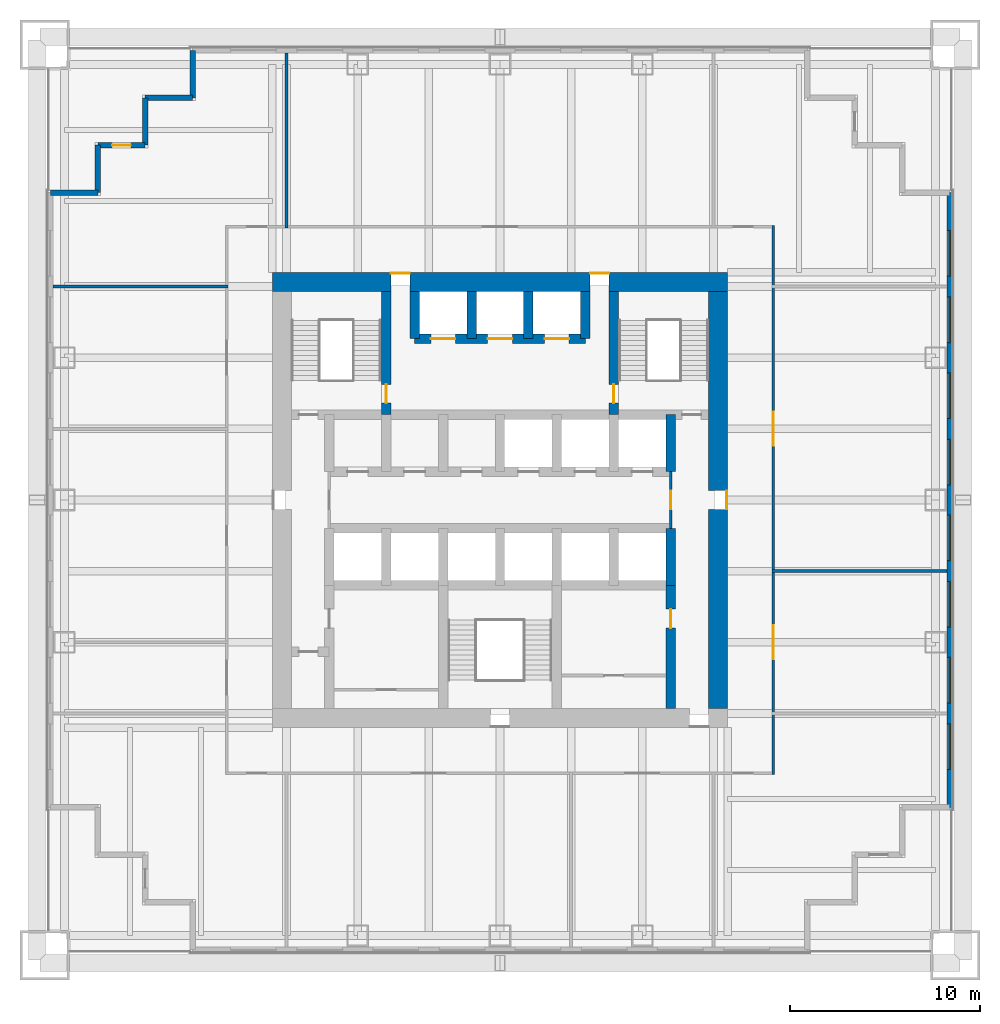
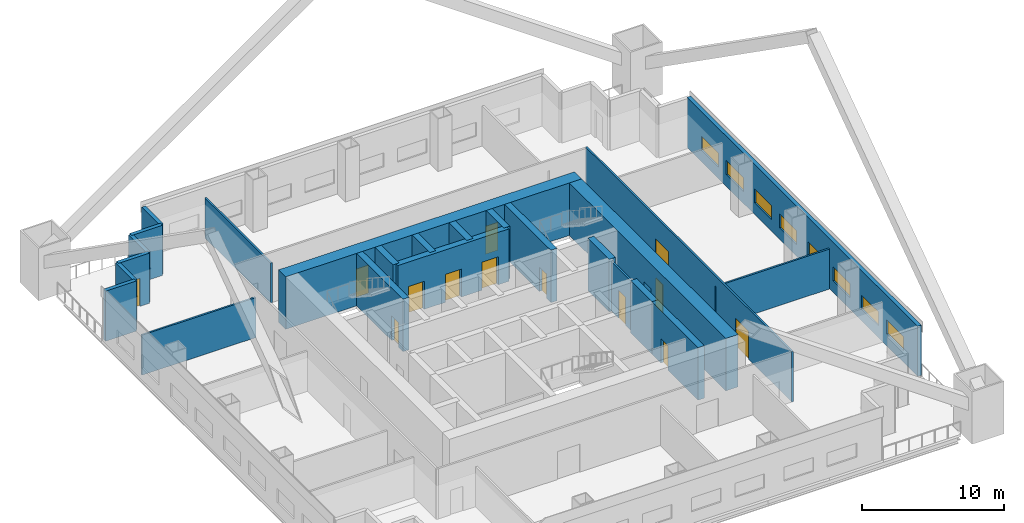
# One storey, part 4 of 6: 24 walls, 13 doors, 8 windows, 21 openings.
"""IFC4 building model written with IfcOpenShell, lengths in metres."""

import ifcopenshell
import ifcopenshell.guid

model = None  # the IFC model being written
_history = None  # IfcOwnerHistory: only IFC2X3 demands one
_inside = {}  # id of a spatial element -> (the spatial element, [elements in it])
_under = {}  # id of a project, library or spatial element -> (it, [spatial elements below it])
_declared = {}  # id of a project -> (the project, [libraries it declares])
_typed = {}  # id of a type object -> (the type object, [elements of that type])
_made_of = {}  # id of a material, layer set ... -> (it, [elements and type objects made of it])


def new_model(schema):
    """Start an empty IFC model of exactly this schema.

    Asked for "IFC4X3", IfcOpenShell would pick the latest addendum, in which some entities
    have other attributes; the version numbers below select the first issue.
    IFC2X3 requires an IfcOwnerHistory on every rooted entity: one is made here for all.
    """
    global model, _history
    if schema == "IFC4X3":
        model = ifcopenshell.file(schema_version=(4, 3, 0, 0))
    else:
        model = ifcopenshell.file(schema=schema)
    _inside.clear()
    _under.clear()
    _declared.clear()
    _typed.clear()
    _made_of.clear()
    _history = None
    if model.schema == "IFC2X3":
        org = make("IfcOrganization", Name="unknown")
        user = make(
            "IfcPersonAndOrganization",
            ThePerson=make("IfcPerson", FamilyName="unknown"),
            TheOrganization=org,
        )
        app = make(
            "IfcApplication",
            ApplicationDeveloper=org,
            Version="unknown",
            ApplicationFullName="unknown",
            ApplicationIdentifier="unknown",
        )
        _history = make(
            "IfcOwnerHistory",
            OwningUser=user,
            OwningApplication=app,
            ChangeAction="ADDED",
            CreationDate=0,
        )
    return model


def make(cls, **values):
    """One entity of the class cls with the attributes given. An attribute that is None is left unset."""
    return model.create_entity(
        cls, **{name: value for name, value in values.items() if value is not None}
    )


def rooted(cls, **values):
    """An entity with a GlobalId (a new one), such as an element, a storey or a relation."""
    return make(cls, GlobalId=ifcopenshell.guid.new(), OwnerHistory=_history, **values)


def si_unit(unit_type, name, prefix=None):
    """IfcSIUnit, for example si_unit("LENGTHUNIT", "METRE", prefix="MILLI")."""
    return make("IfcSIUnit", UnitType=unit_type, Prefix=prefix, Name=name)


def assignment(units):
    """IfcUnitAssignment: the units of a project."""
    return None if units is None else make("IfcUnitAssignment", Units=units)


def point(xyz):
    """IfcCartesianPoint."""
    return None if xyz is None else make("IfcCartesianPoint", Coordinates=xyz)


def direction(xyz):
    """IfcDirection."""
    return None if xyz is None else make("IfcDirection", DirectionRatios=xyz)


def frame(location, z_axis=None, x_axis=None):
    """IfcAxis2Placement3D, a coordinate frame: its origin and axes. An axis left out is left unset."""
    return make(
        "IfcAxis2Placement3D",
        Location=point(location),
        Axis=direction(z_axis),
        RefDirection=direction(x_axis),
    )


def frame_2d(location, x_axis=None):
    """IfcAxis2Placement2D, a coordinate frame in the plane: its origin and x axis."""
    return make(
        "IfcAxis2Placement2D", Location=point(location), RefDirection=direction(x_axis)
    )


def origin():
    """The frame at (0, 0, 0) with its axes left unset."""
    return frame((0.0, 0.0, 0.0))


def place(relative_to, where):
    """IfcLocalPlacement: puts the frame where relative to a parent placement (None: the world)."""
    return make(
        "IfcLocalPlacement", PlacementRelTo=relative_to, RelativePlacement=where
    )


def context(
    kind, dimensions, precision=None, world=None, true_north=None, identifier=None
):
    """IfcGeometricRepresentationContext, for example the 3D "Model" context."""
    return make(
        "IfcGeometricRepresentationContext",
        ContextIdentifier=identifier,
        ContextType=kind,
        CoordinateSpaceDimension=dimensions,
        Precision=precision,
        WorldCoordinateSystem=world,
        TrueNorth=true_north,
    )


def subcontext(parent, identifier, kind, view, scale=None):
    """IfcGeometricRepresentationSubContext, for example "Body" below "Model"."""
    return make(
        "IfcGeometricRepresentationSubContext",
        ContextIdentifier=identifier,
        ContextType=kind,
        ParentContext=parent,
        TargetScale=scale,
        TargetView=view,
    )


def project(units=None, contexts=None):
    """IfcProject with its units and contexts."""
    return rooted(
        "IfcProject",
        Name="project",
        RepresentationContexts=contexts,
        UnitsInContext=assignment(units),
    )


def spatial(cls, under=None, at=None, **own):
    """A site, building, storey or space (cls), placed at a placement, below another one or the project."""
    s = rooted(cls, ObjectPlacement=at, **own)
    if under is not None:
        _under.setdefault(under.id(), (under, []))[1].append(s)
    return s


def profile(cls, at=None, kind="AREA", **sizes):
    """A parametric profile (cls). Its sizes go by their IFC names, for example OverallWidth=200.0."""
    return make(cls, ProfileType=kind, Position=at, **sizes)


def rectangle(**sizes):
    """IfcRectangleProfileDef."""
    return profile("IfcRectangleProfileDef", **sizes)


def extrude(swept, where, along, depth):
    """IfcExtrudedAreaSolid: the profile swept, set in the frame where, extruded along a direction by depth."""
    return make(
        "IfcExtrudedAreaSolid",
        SweptArea=swept,
        Position=where,
        ExtrudedDirection=direction(along),
        Depth=depth,
    )


def shape(context_of_items, identifier, shape_type, items):
    """IfcShapeRepresentation: the items that make up one representation, for example the "Body"."""
    return make(
        "IfcShapeRepresentation",
        ContextOfItems=context_of_items,
        RepresentationIdentifier=identifier,
        RepresentationType=shape_type,
        Items=items,
    )


def material(Name=None, Category=None):
    """IfcMaterial."""
    return make("IfcMaterial", Name=Name, Category=Category)


def layer(
    of_material, thickness, ventilated=None, Name=None, Category=None, Priority=None
):
    """IfcMaterialLayer: one layer of a wall or slab, of a material (None: an air gap)."""
    return make(
        "IfcMaterialLayer",
        Material=of_material,
        LayerThickness=thickness,
        IsVentilated=ventilated,
        Name=Name,
        Category=Category,
        Priority=Priority,
    )


def layer_set(layers, Name=None):
    """IfcMaterialLayerSet."""
    return make("IfcMaterialLayerSet", MaterialLayers=layers, LayerSetName=Name)


def made_of(thing, what):
    """Note that an element or type object is made of a material, layer set ...; save() writes the relation."""
    if what is not None:
        _made_of.setdefault(what.id(), (what, []))[1].append(thing)
    return thing


def type_object(cls, material=None, **own):
    """A type object (cls), such as IfcWallType, which elements share."""
    return made_of(rooted(cls, **own), material)


def element(
    cls,
    number,
    at=None,
    inside=None,
    cuts=None,
    type_object=None,
    material=None,
    context=None,
    identifier="Body",
    shape_type=None,
    held_by="IfcProductDefinitionShape",
    body=None,
    shapes=None,
    **own,
):
    """One element of the class cls, such as IfcWall. Its Tag is "e" and its number.

    at: its placement. inside: the storey or other place that contains it. cuts: it is an
    opening in that element (IfcRelVoidsElement). A single representation is given by context,
    identifier, shape_type and body (its items); several are given by shapes. held_by: the class
    of the entity that holds the representations. save() writes the other relations.
    """
    e = rooted(cls, Tag="e%d" % number, ObjectPlacement=at, **own)
    if body is not None:
        shapes = [shape(context, identifier, shape_type, body)]
    if shapes is not None:
        e.Representation = make(held_by, Representations=shapes)
    if inside is not None:
        _inside.setdefault(inside.id(), (inside, []))[1].append(e)
    if cuts is not None:
        rooted(
            "IfcRelVoidsElement", RelatingBuildingElement=cuts, RelatedOpeningElement=e
        )
    if type_object is not None:
        _typed.setdefault(type_object.id(), (type_object, []))[1].append(e)
    return made_of(e, material)


def fill(opening, filler):
    """IfcRelFillsElement: the door or window that sits in an opening."""
    return rooted(
        "IfcRelFillsElement",
        RelatingOpeningElement=opening,
        RelatedBuildingElement=filler,
    )


def aggregate(whole, parts):
    """IfcRelAggregates: a whole, such as a stair, and the parts it consists of."""
    return rooted("IfcRelAggregates", RelatingObject=whole, RelatedObjects=parts)


def save(model, path):
    """Write the relations noted so far, then the file.

    IfcRelAggregates (storeys below a building ...), IfcRelContainedInSpatialStructure (elements
    in a storey), IfcRelDefinesByType, IfcRelAssociatesMaterial and IfcRelDeclares: one each for
    every whole, place, type object, material and project.
    """
    for whole, parts in _under.values():
        aggregate(whole, parts)
    for where, things in _inside.values():
        rooted(
            "IfcRelContainedInSpatialStructure",
            RelatedElements=things,
            RelatingStructure=where,
        )
    for kind, things in _typed.values():
        rooted("IfcRelDefinesByType", RelatedObjects=things, RelatingType=kind)
    for what, things in _made_of.values():
        rooted("IfcRelAssociatesMaterial", RelatedObjects=things, RelatingMaterial=what)
    for by, libraries in _declared.values():
        rooted("IfcRelDeclares", RelatingContext=by, RelatedDefinitions=libraries)
    model.write(path)


model = new_model("IFC4")

# Units and contexts
model_context = context("Model", 3, precision=1e-05, world=origin(), true_north=direction((0.0, 1.0)))
body_context = subcontext(model_context, "Body", "Model", "MODEL_VIEW")
ifc_project = project(units=[si_unit("LENGTHUNIT", "METRE"), si_unit("AREAUNIT", "SQUARE_METRE"), si_unit("VOLUMEUNIT", "CUBIC_METRE"), si_unit("PLANEANGLEUNIT", "RADIAN"), si_unit("MASSUNIT", "GRAM", prefix="KILO")], contexts=[model_context])

# Site, building, storey
site_placement = place(None, origin())
site = spatial("IfcSite", under=ifc_project, at=site_placement, CompositionType="ELEMENT")
building_placement = place(site_placement, origin())
building = spatial("IfcBuilding", under=site, at=building_placement, Name="Tarangal Relay Tower", CompositionType="ELEMENT")
storey_placement = place(building_placement, frame((0.0, 0.0, 135.89990234375)))
storey = spatial("IfcBuildingStorey", under=building, at=storey_placement, Name="L27", CompositionType="ELEMENT", Elevation=135.89990234375)

# Wall, openings, doors
ifc_material_1 = material(Name="Concrete fc' 60 MPa", Category="concrete")
ifc_layer_1 = layer(ifc_material_1, 0.5)
ifc_layer_set_1 = layer_set([ifc_layer_1], Name="Core inner wall 500")
wall_type_1 = type_object("IfcWallType", Name="Core inner wall 500", PredefinedType="SHEAR", material=ifc_layer_set_1)
wall_1_placement = place(storey_placement, frame((-4.5, 8.5, 0.0), z_axis=(0.0, 0.0, 1.0), x_axis=(1.0, 0.0, 0.0)))
wall_1 = element("IfcWall", 1, at=wall_1_placement, inside=storey, type_object=wall_type_1, Name="Core wall Y85 L27", PredefinedType="SHEAR", context=body_context, shape_type="SweptSolid", body=[
    extrude(rectangle(XDim=9.0, YDim=0.5, at=frame_2d((4.5, 0.0))), origin(), (0.0, 0.0, 1.0), 4.5),
])
opening_1_placement = place(wall_1_placement, frame((0.85009765625, 0.0, 0.0)))
opening_1 = element("IfcOpeningElement", 2, at=opening_1_placement, cuts=wall_1, Name="Opening LD2", PredefinedType="OPENING", context=body_context, shape_type="SweptSolid", body=[
    extrude(rectangle(XDim=1.300048828125, YDim=2.39990234375, at=frame_2d((0.64990234375, 1.199951171875))), frame((0.0, 0.260009765625, 0.0), z_axis=(0.0, -1.0, 0.0), x_axis=(1.0, 0.0, 0.0)), (0.0, 0.0, 1.0), 0.52001953125),
])
opening_2_placement = place(wall_1_placement, frame((6.85009765625, 0.0, 0.0)))
opening_2 = element("IfcOpeningElement", 3, at=opening_2_placement, cuts=wall_1, Name="Opening LD2", PredefinedType="OPENING", context=body_context, shape_type="SweptSolid", body=[
    extrude(rectangle(XDim=1.300048828125, YDim=2.39990234375, at=frame_2d((0.64990234375, 1.199951171875))), frame((0.0, 0.260009765625, 0.0), z_axis=(0.0, -1.0, 0.0), x_axis=(1.0, 0.0, 0.0)), (0.0, 0.0, 1.0), 0.52001953125),
])
opening_3_placement = place(wall_1_placement, frame((3.85009765625, 0.0, 0.0)))
opening_3 = element("IfcOpeningElement", 4, at=opening_3_placement, cuts=wall_1, Name="Opening LD2", PredefinedType="OPENING", context=body_context, shape_type="SweptSolid", body=[
    extrude(rectangle(XDim=1.300048828125, YDim=2.39990234375, at=frame_2d((0.64990234375, 1.199951171875))), frame((0.0, 0.260009765625, 0.0), z_axis=(0.0, -1.0, 0.0), x_axis=(1.0, 0.0, 0.0)), (0.0, 0.0, 1.0), 0.52001953125),
])
ifc_material_2 = material(Name="Steel door with hardwood frame", Category="steel")
door_type_1 = type_object("IfcDoorType", Name="Lift landing door 1300 x 2400", OperationType="SLIDING_TO_LEFT", PredefinedType="DOOR", material=ifc_material_2)
door_1_placement = place(opening_1_placement, origin())
door_1 = element("IfcDoor", 5, at=door_1_placement, inside=storey, type_object=door_type_1, Name="Lift FF1 landing door L27", OperationType="SLIDING_TO_LEFT", OverallHeight=2.39990234375, OverallWidth=1.300048828125, PredefinedType="DOOR", context=body_context, shape_type="SweptSolid", body=[
    extrude(rectangle(XDim=1.300048828125, YDim=2.39990234375, at=frame_2d((0.64990234375, 1.199951171875))), frame((0.0, 0.02490234375, 0.0), z_axis=(0.0, -1.0, 0.0), x_axis=(1.0, 0.0, 0.0)), (0.0, 0.0, 1.0), 0.050048828125),
])
fill(opening_1, door_1)
door_2_placement = place(opening_2_placement, origin())
door_2 = element("IfcDoor", 6, at=door_2_placement, inside=storey, type_object=door_type_1, Name="Lift FF2 landing door L27", OperationType="SLIDING_TO_LEFT", OverallHeight=2.39990234375, OverallWidth=1.300048828125, PredefinedType="DOOR", context=body_context, shape_type="SweptSolid", body=[
    extrude(rectangle(XDim=1.300048828125, YDim=2.39990234375, at=frame_2d((0.64990234375, 1.199951171875))), frame((0.0, 0.02490234375, 0.0), z_axis=(0.0, -1.0, 0.0), x_axis=(1.0, 0.0, 0.0)), (0.0, 0.0, 1.0), 0.050048828125),
])
fill(opening_2, door_2)
door_3_placement = place(opening_3_placement, origin())
door_3 = element("IfcDoor", 7, at=door_3_placement, inside=storey, type_object=door_type_1, Name="Lift SV1 landing door L27", OperationType="SLIDING_TO_LEFT", OverallHeight=2.39990234375, OverallWidth=1.300048828125, PredefinedType="DOOR", context=body_context, shape_type="SweptSolid", body=[
    extrude(rectangle(XDim=1.300048828125, YDim=2.39990234375, at=frame_2d((0.64990234375, 1.199951171875))), frame((0.0, 0.02490234375, 0.0), z_axis=(0.0, -1.0, 0.0), x_axis=(1.0, 0.0, 0.0)), (0.0, 0.0, 1.0), 0.050048828125),
])
fill(opening_3, door_3)

# Walls
for number, where, z_axis, x_axis, name in (
    (8, (9.0, 1.5, 0.0), (0.0, 0.0, 1.0), (0.0, 1.0, 0.0), "Core wall X9N L27"),
    (9, (9.0, -4.5, 0.0), (0.0, 0.0, 1.0), (0.0, 1.0, 0.0), "Core wall X9S L27"),
):
    element("IfcWall", number, at=place(storey_placement, frame(where, z_axis=z_axis, x_axis=x_axis)), inside=storey, type_object=wall_type_1, Name=name, PredefinedType="SHEAR", context=body_context, shape_type="SweptSolid", body=[
        extrude(rectangle(XDim=3.0, YDim=0.5, at=frame_2d((1.5, 0.0))), origin(), (0.0, 0.0, 1.0), 4.5),
    ])

# Wall, opening, door
wall_2_placement = place(storey_placement, frame((-6.0, 4.5, 0.0), z_axis=(0.0, 0.0, 1.0), x_axis=(0.0, 1.0, 0.0)))
wall_2 = element("IfcWall", 10, at=wall_2_placement, inside=storey, type_object=wall_type_1, Name="Core wall XM6 L27", PredefinedType="SHEAR", context=body_context, shape_type="SweptSolid", body=[
    extrude(rectangle(XDim=6.5, YDim=0.5, at=frame_2d((3.25, 0.0))), origin(), (0.0, 0.0, 1.0), 4.5),
])
opening_4_placement = place(wall_2_placement, frame((0.60009765625, 0.0, 0.0)))
opening_4 = element("IfcOpeningElement", 11, at=opening_4_placement, cuts=wall_2, Name="Opening FD1", PredefinedType="OPENING", context=body_context, shape_type="SweptSolid", body=[
    extrude(rectangle(XDim=1.0, YDim=2.10009765625, at=frame_2d((0.5, 1.050048828125))), frame((0.0, 0.260009765625, 0.0), z_axis=(0.0, -1.0, 0.0), x_axis=(1.0, 0.0, 0.0)), (0.0, 0.0, 1.0), 0.52001953125),
])
door_type_2 = type_object("IfcDoorType", Name="Fire door 1000 x 2100", OperationType="SINGLE_SWING_LEFT", PredefinedType="DOOR", material=ifc_material_2)
door_4_placement = place(opening_4_placement, origin())
door_4 = element("IfcDoor", 12, at=door_4_placement, inside=storey, type_object=door_type_2, Name="Stair ST-A door from fire-fighting lobby L27", OperationType="SINGLE_SWING_LEFT", OverallHeight=2.10009765625, OverallWidth=1.0, PredefinedType="DOOR", context=body_context, shape_type="SweptSolid", body=[
    extrude(rectangle(XDim=1.0, YDim=2.10009765625, at=frame_2d((0.5, 1.050048828125))), frame((0.0, 0.02490234375, 0.0), z_axis=(0.0, -1.0, 0.0), x_axis=(1.0, 0.0, 0.0)), (0.0, 0.0, 1.0), 0.050048828125),
])
fill(opening_4, door_4)

wall_3_placement = place(storey_placement, frame((6.0, 4.5, 0.0), z_axis=(0.0, 0.0, 1.0), x_axis=(0.0, 1.0, 0.0)))
wall_3 = element("IfcWall", 13, at=wall_3_placement, inside=storey, type_object=wall_type_1, Name="Core wall X6 L27", PredefinedType="SHEAR", context=body_context, shape_type="SweptSolid", body=[
    extrude(rectangle(XDim=6.5, YDim=0.5, at=frame_2d((3.25, 0.0))), origin(), (0.0, 0.0, 1.0), 4.5),
])
opening_5_placement = place(wall_3_placement, frame((0.60009765625, 0.0, 0.0)))
opening_5 = element("IfcOpeningElement", 14, at=opening_5_placement, cuts=wall_3, Name="Opening FD1", PredefinedType="OPENING", context=body_context, shape_type="SweptSolid", body=[
    extrude(rectangle(XDim=1.0, YDim=2.10009765625, at=frame_2d((0.5, 1.050048828125))), frame((0.0, 0.260009765625, 0.0), z_axis=(0.0, -1.0, 0.0), x_axis=(1.0, 0.0, 0.0)), (0.0, 0.0, 1.0), 0.52001953125),
])
door_5_placement = place(opening_5_placement, origin())
door_5 = element("IfcDoor", 15, at=door_5_placement, inside=storey, type_object=door_type_2, Name="Stair ST-B door from fire-fighting lobby L27", OperationType="SINGLE_SWING_LEFT", OverallHeight=2.10009765625, OverallWidth=1.0, PredefinedType="DOOR", context=body_context, shape_type="SweptSolid", body=[
    extrude(rectangle(XDim=1.0, YDim=2.10009765625, at=frame_2d((0.5, 1.050048828125))), frame((0.0, 0.02490234375, 0.0), z_axis=(0.0, -1.0, 0.0), x_axis=(1.0, 0.0, 0.0)), (0.0, 0.0, 1.0), 0.050048828125),
])
fill(opening_5, door_5)

# Walls
for number, where, z_axis, x_axis, name in (
    (16, (-4.5, 8.5, 0.0), (0.0, 0.0, 1.0), (0.0, 1.0, 0.0), "Core wall XM45 L27"),
    (17, (4.5, 8.5, 0.0), (0.0, 0.0, 1.0), (0.0, 1.0, 0.0), "Core wall X45 L27"),
    (18, (-1.5, 8.5, 0.0), (0.0, 0.0, 1.0), (0.0, 1.0, 0.0), "Core wall XM15 L27"),
    (19, (1.5, 8.5, 0.0), (0.0, 0.0, 1.0), (0.0, 1.0, 0.0), "Core wall X15 L27"),
):
    element("IfcWall", number, at=place(storey_placement, frame(where, z_axis=z_axis, x_axis=x_axis)), inside=storey, type_object=wall_type_1, Name=name, PredefinedType="SHEAR", context=body_context, shape_type="SweptSolid", body=[
        extrude(rectangle(XDim=2.5, YDim=0.5, at=frame_2d((1.25, 0.0))), origin(), (0.0, 0.0, 1.0), 4.5),
    ])

# Wall, opening, door
wall_4_placement = place(storey_placement, frame((9.0, -11.0, 0.0), z_axis=(0.0, 0.0, 1.0), x_axis=(0.0, 1.0, 0.0)))
wall_4 = element("IfcWall", 20, at=wall_4_placement, inside=storey, type_object=wall_type_1, Name="Core wall X9W L27", PredefinedType="SHEAR", context=body_context, shape_type="SweptSolid", body=[
    extrude(rectangle(XDim=6.5, YDim=0.5, at=frame_2d((3.25, 0.0))), origin(), (0.0, 0.0, 1.0), 4.5),
])
opening_6_placement = place(wall_4_placement, frame((4.25, 0.0, 0.0)))
opening_6 = element("IfcOpeningElement", 21, at=opening_6_placement, cuts=wall_4, Name="Opening D1", PredefinedType="OPENING", context=body_context, shape_type="SweptSolid", body=[
    extrude(rectangle(XDim=1.0, YDim=2.10009765625, at=frame_2d((0.5, 1.050048828125))), frame((0.0, 0.260009765625, 0.0), z_axis=(0.0, -1.0, 0.0), x_axis=(1.0, 0.0, 0.0)), (0.0, 0.0, 1.0), 0.52001953125),
])
ifc_material_3 = material(Name="Hardwood door", Category="wood")
door_type_3 = type_object("IfcDoorType", Name="WC door 1000 x 2100", OperationType="SINGLE_SWING_LEFT", PredefinedType="DOOR", material=ifc_material_3)
door_6_placement = place(opening_6_placement, origin())
door_6 = element("IfcDoor", 22, at=door_6_placement, inside=storey, type_object=door_type_3, Name="Female WC door L27", OperationType="SINGLE_SWING_LEFT", OverallHeight=2.10009765625, OverallWidth=1.0, PredefinedType="DOOR", context=body_context, shape_type="SweptSolid", body=[
    extrude(rectangle(XDim=1.0, YDim=2.10009765625, at=frame_2d((0.5, 1.050048828125))), frame((0.0, 0.02490234375, 0.0), z_axis=(0.0, -1.0, 0.0), x_axis=(1.0, 0.0, 0.0)), (0.0, 0.0, 1.0), 0.050048828125),
])
fill(opening_6, door_6)

# Wall, openings, doors
ifc_layer_2 = layer(ifc_material_1, 1.0)
ifc_layer_set_2 = layer_set([ifc_layer_2], Name="Core wall 1000")
wall_type_2 = type_object("IfcWallType", Name="Core wall 1000", PredefinedType="SHEAR", material=ifc_layer_set_2)
wall_5_placement = place(storey_placement, frame((-12.0, 11.5, 0.0), z_axis=(0.0, 0.0, 1.0), x_axis=(1.0, 0.0, 0.0)))
wall_5 = element("IfcWall", 23, at=wall_5_placement, inside=storey, type_object=wall_type_2, Name="Core wall N L27", PredefinedType="SHEAR", context=body_context, shape_type="SweptSolid", body=[
    extrude(rectangle(XDim=24.0, YDim=1.0, at=frame_2d((12.0, 0.0))), origin(), (0.0, 0.0, 1.0), 4.5),
])
opening_7_placement = place(wall_5_placement, frame((6.25, 0.0, 0.0)))
opening_7 = element("IfcOpeningElement", 24, at=opening_7_placement, cuts=wall_5, Name="Opening FD3", PredefinedType="OPENING", context=body_context, shape_type="SweptSolid", body=[
    extrude(rectangle(XDim=1.0, YDim=2.39990234375, at=frame_2d((0.5, 1.199951171875))), frame((0.0, 0.510009765625, 0.0), z_axis=(0.0, -1.0, 0.0), x_axis=(1.0, 0.0, 0.0)), (0.0, 0.0, 1.0), 1.02001953125),
])
opening_8_placement = place(wall_5_placement, frame((16.75, 0.0, 0.0)))
opening_8 = element("IfcOpeningElement", 25, at=opening_8_placement, cuts=wall_5, Name="Opening FD3", PredefinedType="OPENING", context=body_context, shape_type="SweptSolid", body=[
    extrude(rectangle(XDim=1.0, YDim=2.39990234375, at=frame_2d((0.5, 1.199951171875))), frame((0.0, 0.510009765625, 0.0), z_axis=(0.0, -1.0, 0.0), x_axis=(1.0, 0.0, 0.0)), (0.0, 0.0, 1.0), 1.02001953125),
])
door_type_4 = type_object("IfcDoorType", Name="Fire door 1000 x 2400 core entry", OperationType="SINGLE_SWING_RIGHT", PredefinedType="DOOR", material=ifc_material_2)
door_7_placement = place(opening_7_placement, origin())
door_7 = element("IfcDoor", 26, at=door_7_placement, inside=storey, type_object=door_type_4, Name="Core entry door north west L27", OperationType="SINGLE_SWING_RIGHT", OverallHeight=2.39990234375, OverallWidth=1.0, PredefinedType="DOOR", context=body_context, shape_type="SweptSolid", body=[
    extrude(rectangle(XDim=1.0, YDim=2.39990234375, at=frame_2d((0.5, 1.199951171875))), frame((0.0, 0.48486328125, 0.0), z_axis=(0.0, -1.0, 0.0), x_axis=(1.0, 0.0, 0.0)), (0.0, 0.0, 1.0), 0.050048828125),
])
fill(opening_7, door_7)
door_8_placement = place(opening_8_placement, origin())
door_8 = element("IfcDoor", 27, at=door_8_placement, inside=storey, type_object=door_type_4, Name="Core entry door north east L27", OperationType="SINGLE_SWING_RIGHT", OverallHeight=2.39990234375, OverallWidth=1.0, PredefinedType="DOOR", context=body_context, shape_type="SweptSolid", body=[
    extrude(rectangle(XDim=1.0, YDim=2.39990234375, at=frame_2d((0.5, 1.199951171875))), frame((0.0, 0.48486328125, 0.0), z_axis=(0.0, -1.0, 0.0), x_axis=(1.0, 0.0, 0.0)), (0.0, 0.0, 1.0), 0.050048828125),
])
fill(opening_8, door_8)

# Wall, opening, door
wall_6_placement = place(storey_placement, frame((11.5, 11.0, 0.0), z_axis=(0.0, 0.0, 1.0), x_axis=(0.0, -1.0, 0.0)))
wall_6 = element("IfcWall", 28, at=wall_6_placement, inside=storey, type_object=wall_type_2, Name="Core wall E L27", PredefinedType="SHEAR", context=body_context, shape_type="SweptSolid", body=[
    extrude(rectangle(XDim=22.0, YDim=1.0, at=frame_2d((11.0, 0.0))), origin(), (0.0, 0.0, 1.0), 4.5),
])
opening_9_placement = place(wall_6_placement, frame((10.5, 0.0, 0.0)))
opening_9 = element("IfcOpeningElement", 29, at=opening_9_placement, cuts=wall_6, Name="Opening FD3", PredefinedType="OPENING", context=body_context, shape_type="SweptSolid", body=[
    extrude(rectangle(XDim=1.0, YDim=2.39990234375, at=frame_2d((0.5, 1.199951171875))), frame((0.0, 0.510009765625, 0.0), z_axis=(0.0, -1.0, 0.0), x_axis=(1.0, 0.0, 0.0)), (0.0, 0.0, 1.0), 1.02001953125),
])
door_9_placement = place(opening_9_placement, origin())
door_9 = element("IfcDoor", 30, at=door_9_placement, inside=storey, type_object=door_type_4, Name="Core entry door east L27", OperationType="SINGLE_SWING_RIGHT", OverallHeight=2.39990234375, OverallWidth=1.0, PredefinedType="DOOR", context=body_context, shape_type="SweptSolid", body=[
    extrude(rectangle(XDim=1.0, YDim=2.39990234375, at=frame_2d((0.5, 1.199951171875))), frame((0.0, 0.48486328125, 0.0), z_axis=(0.0, -1.0, 0.0), x_axis=(1.0, 0.0, 0.0)), (0.0, 0.0, 1.0), 0.050048828125),
])
fill(opening_9, door_9)

# Wall, openings, windows
ifc_material_4 = material(Name="Insulated precast concrete fc' 40 MPa", Category="concrete")
ifc_layer_3 = layer(ifc_material_4, 0.300048828125)
ifc_layer_set_3 = layer_set([ifc_layer_3], Name="Insulated precast concrete fc' 40 MPa")
wall_type_3 = type_object("IfcWallType", Name="Facade wall precast 300", PredefinedType="SOLIDWALL", material=ifc_layer_set_3)
wall_7_placement = place(storey_placement, frame((23.699951171875, 16.199951171875, 0.0), z_axis=(0.0, 0.0, 1.0), x_axis=(0.0, -1.0, 0.0)))
wall_7 = element("IfcWall", 31, at=wall_7_placement, inside=storey, type_object=wall_type_3, Name="Facade wall E facade L27", PredefinedType="SOLIDWALL", context=body_context, shape_type="SweptSolid", body=[
    extrude(rectangle(XDim=32.39990234375, YDim=0.300048828125, at=frame_2d((16.199951171875, 0.0))), origin(), (0.0, 0.0, 1.0), 4.300048828125),
])
opening_10_placement = place(wall_7_placement, frame((2.0, 0.0, 1.0)))
opening_10 = element("IfcOpeningElement", 32, at=opening_10_placement, cuts=wall_7, Name="Opening WN1", PredefinedType="OPENING", context=body_context, shape_type="SweptSolid", body=[
    extrude(rectangle(XDim=2.39990234375, YDim=1.199951171875, at=frame_2d((1.199951171875, 0.60009765625))), frame((0.0, 0.159912109375, 0.0), z_axis=(0.0, -1.0, 0.0), x_axis=(1.0, 0.0, 0.0)), (0.0, 0.0, 1.0), 0.320068359375),
])
opening_11_placement = place(wall_7_placement, frame((5.5, 0.0, 1.0)))
opening_11 = element("IfcOpeningElement", 33, at=opening_11_placement, cuts=wall_7, Name="Opening WN1", PredefinedType="OPENING", context=body_context, shape_type="SweptSolid", body=[
    extrude(rectangle(XDim=2.39990234375, YDim=1.199951171875, at=frame_2d((1.199951171875, 0.60009765625))), frame((0.0, 0.159912109375, 0.0), z_axis=(0.0, -1.0, 0.0), x_axis=(1.0, 0.0, 0.0)), (0.0, 0.0, 1.0), 0.320068359375),
])
opening_12_placement = place(wall_7_placement, frame((9.5, 0.0, 1.0)))
opening_12 = element("IfcOpeningElement", 34, at=opening_12_placement, cuts=wall_7, Name="Opening WN1", PredefinedType="OPENING", context=body_context, shape_type="SweptSolid", body=[
    extrude(rectangle(XDim=2.39990234375, YDim=1.199951171875, at=frame_2d((1.199951171875, 0.60009765625))), frame((0.0, 0.159912109375, 0.0), z_axis=(0.0, -1.0, 0.0), x_axis=(1.0, 0.0, 0.0)), (0.0, 0.0, 1.0), 0.320068359375),
])
opening_13_placement = place(wall_7_placement, frame((13.0, 0.0, 1.0)))
opening_13 = element("IfcOpeningElement", 35, at=opening_13_placement, cuts=wall_7, Name="Opening WN1", PredefinedType="OPENING", context=body_context, shape_type="SweptSolid", body=[
    extrude(rectangle(XDim=2.39990234375, YDim=1.199951171875, at=frame_2d((1.199951171875, 0.60009765625))), frame((0.0, 0.159912109375, 0.0), z_axis=(0.0, -1.0, 0.0), x_axis=(1.0, 0.0, 0.0)), (0.0, 0.0, 1.0), 0.320068359375),
])
opening_14_placement = place(wall_7_placement, frame((17.0, 0.0, 1.0)))
opening_14 = element("IfcOpeningElement", 36, at=opening_14_placement, cuts=wall_7, Name="Opening WN1", PredefinedType="OPENING", context=body_context, shape_type="SweptSolid", body=[
    extrude(rectangle(XDim=2.39990234375, YDim=1.199951171875, at=frame_2d((1.199951171875, 0.60009765625))), frame((0.0, 0.159912109375, 0.0), z_axis=(0.0, -1.0, 0.0), x_axis=(1.0, 0.0, 0.0)), (0.0, 0.0, 1.0), 0.320068359375),
])
opening_15_placement = place(wall_7_placement, frame((20.5, 0.0, 1.0)))
opening_15 = element("IfcOpeningElement", 37, at=opening_15_placement, cuts=wall_7, Name="Opening WN1", PredefinedType="OPENING", context=body_context, shape_type="SweptSolid", body=[
    extrude(rectangle(XDim=2.39990234375, YDim=1.199951171875, at=frame_2d((1.199951171875, 0.60009765625))), frame((0.0, 0.159912109375, 0.0), z_axis=(0.0, -1.0, 0.0), x_axis=(1.0, 0.0, 0.0)), (0.0, 0.0, 1.0), 0.320068359375),
])
opening_16_placement = place(wall_7_placement, frame((24.5, 0.0, 1.0)))
opening_16 = element("IfcOpeningElement", 38, at=opening_16_placement, cuts=wall_7, Name="Opening WN1", PredefinedType="OPENING", context=body_context, shape_type="SweptSolid", body=[
    extrude(rectangle(XDim=2.39990234375, YDim=1.199951171875, at=frame_2d((1.199951171875, 0.60009765625))), frame((0.0, 0.159912109375, 0.0), z_axis=(0.0, -1.0, 0.0), x_axis=(1.0, 0.0, 0.0)), (0.0, 0.0, 1.0), 0.320068359375),
])
opening_17_placement = place(wall_7_placement, frame((28.0, 0.0, 1.0)))
opening_17 = element("IfcOpeningElement", 39, at=opening_17_placement, cuts=wall_7, Name="Opening WN1", PredefinedType="OPENING", context=body_context, shape_type="SweptSolid", body=[
    extrude(rectangle(XDim=2.39990234375, YDim=1.199951171875, at=frame_2d((1.199951171875, 0.60009765625))), frame((0.0, 0.159912109375, 0.0), z_axis=(0.0, -1.0, 0.0), x_axis=(1.0, 0.0, 0.0)), (0.0, 0.0, 1.0), 0.320068359375),
])
ifc_material_5 = material(Name="Dark tinted double glazing in black aluminium frame", Category="aluminium")
window_type = type_object("IfcWindowType", Name="Ribbon window 2400 x 1200", PartitioningType="SINGLE_PANEL", PredefinedType="WINDOW", material=ifc_material_5)
window_1_placement = place(opening_10_placement, origin())
window_1 = element("IfcWindow", 40, at=window_1_placement, inside=storey, type_object=window_type, Name="Ribbon window WN1 E facade L27", OverallHeight=1.199951171875, OverallWidth=2.39990234375, PartitioningType="SINGLE_PANEL", PredefinedType="WINDOW", context=body_context, shape_type="SweptSolid", body=[
    extrude(rectangle(XDim=2.39990234375, YDim=1.199951171875, at=frame_2d((1.199951171875, 0.60009765625))), frame((0.0, 0.030029296875, 0.0), z_axis=(0.0, -1.0, 0.0), x_axis=(1.0, 0.0, 0.0)), (0.0, 0.0, 1.0), 0.06005859375),
])
fill(opening_10, window_1)
window_2_placement = place(opening_11_placement, origin())
window_2 = element("IfcWindow", 41, at=window_2_placement, inside=storey, type_object=window_type, Name="Ribbon window WN1 E facade L27", OverallHeight=1.199951171875, OverallWidth=2.39990234375, PartitioningType="SINGLE_PANEL", PredefinedType="WINDOW", context=body_context, shape_type="SweptSolid", body=[
    extrude(rectangle(XDim=2.39990234375, YDim=1.199951171875, at=frame_2d((1.199951171875, 0.60009765625))), frame((0.0, 0.030029296875, 0.0), z_axis=(0.0, -1.0, 0.0), x_axis=(1.0, 0.0, 0.0)), (0.0, 0.0, 1.0), 0.06005859375),
])
fill(opening_11, window_2)
window_3_placement = place(opening_12_placement, origin())
window_3 = element("IfcWindow", 42, at=window_3_placement, inside=storey, type_object=window_type, Name="Ribbon window WN1 E facade L27", OverallHeight=1.199951171875, OverallWidth=2.39990234375, PartitioningType="SINGLE_PANEL", PredefinedType="WINDOW", context=body_context, shape_type="SweptSolid", body=[
    extrude(rectangle(XDim=2.39990234375, YDim=1.199951171875, at=frame_2d((1.199951171875, 0.60009765625))), frame((0.0, 0.030029296875, 0.0), z_axis=(0.0, -1.0, 0.0), x_axis=(1.0, 0.0, 0.0)), (0.0, 0.0, 1.0), 0.06005859375),
])
fill(opening_12, window_3)
window_4_placement = place(opening_13_placement, origin())
window_4 = element("IfcWindow", 43, at=window_4_placement, inside=storey, type_object=window_type, Name="Ribbon window WN1 E facade L27", OverallHeight=1.199951171875, OverallWidth=2.39990234375, PartitioningType="SINGLE_PANEL", PredefinedType="WINDOW", context=body_context, shape_type="SweptSolid", body=[
    extrude(rectangle(XDim=2.39990234375, YDim=1.199951171875, at=frame_2d((1.199951171875, 0.60009765625))), frame((0.0, 0.030029296875, 0.0), z_axis=(0.0, -1.0, 0.0), x_axis=(1.0, 0.0, 0.0)), (0.0, 0.0, 1.0), 0.06005859375),
])
fill(opening_13, window_4)
window_5_placement = place(opening_14_placement, origin())
window_5 = element("IfcWindow", 44, at=window_5_placement, inside=storey, type_object=window_type, Name="Ribbon window WN1 E facade L27", OverallHeight=1.199951171875, OverallWidth=2.39990234375, PartitioningType="SINGLE_PANEL", PredefinedType="WINDOW", context=body_context, shape_type="SweptSolid", body=[
    extrude(rectangle(XDim=2.39990234375, YDim=1.199951171875, at=frame_2d((1.199951171875, 0.60009765625))), frame((0.0, 0.030029296875, 0.0), z_axis=(0.0, -1.0, 0.0), x_axis=(1.0, 0.0, 0.0)), (0.0, 0.0, 1.0), 0.06005859375),
])
fill(opening_14, window_5)
window_6_placement = place(opening_15_placement, origin())
window_6 = element("IfcWindow", 45, at=window_6_placement, inside=storey, type_object=window_type, Name="Ribbon window WN1 E facade L27", OverallHeight=1.199951171875, OverallWidth=2.39990234375, PartitioningType="SINGLE_PANEL", PredefinedType="WINDOW", context=body_context, shape_type="SweptSolid", body=[
    extrude(rectangle(XDim=2.39990234375, YDim=1.199951171875, at=frame_2d((1.199951171875, 0.60009765625))), frame((0.0, 0.030029296875, 0.0), z_axis=(0.0, -1.0, 0.0), x_axis=(1.0, 0.0, 0.0)), (0.0, 0.0, 1.0), 0.06005859375),
])
fill(opening_15, window_6)
window_7_placement = place(opening_16_placement, origin())
window_7 = element("IfcWindow", 46, at=window_7_placement, inside=storey, type_object=window_type, Name="Ribbon window WN1 E facade L27", OverallHeight=1.199951171875, OverallWidth=2.39990234375, PartitioningType="SINGLE_PANEL", PredefinedType="WINDOW", context=body_context, shape_type="SweptSolid", body=[
    extrude(rectangle(XDim=2.39990234375, YDim=1.199951171875, at=frame_2d((1.199951171875, 0.60009765625))), frame((0.0, 0.030029296875, 0.0), z_axis=(0.0, -1.0, 0.0), x_axis=(1.0, 0.0, 0.0)), (0.0, 0.0, 1.0), 0.06005859375),
])
fill(opening_16, window_7)
window_8_placement = place(opening_17_placement, origin())
window_8 = element("IfcWindow", 47, at=window_8_placement, inside=storey, type_object=window_type, Name="Ribbon window WN1 E facade L27", OverallHeight=1.199951171875, OverallWidth=2.39990234375, PartitioningType="SINGLE_PANEL", PredefinedType="WINDOW", context=body_context, shape_type="SweptSolid", body=[
    extrude(rectangle(XDim=2.39990234375, YDim=1.199951171875, at=frame_2d((1.199951171875, 0.60009765625))), frame((0.0, 0.030029296875, 0.0), z_axis=(0.0, -1.0, 0.0), x_axis=(1.0, 0.0, 0.0)), (0.0, 0.0, 1.0), 0.06005859375),
])
fill(opening_17, window_8)

# Walls
for number, where, z_axis, x_axis, name in (
    (48, (-23.699951171875, 16.199951171875, 0.0), (0.0, 0.0, 1.0), (1.0, 0.0, 0.0), "Facade wall W facade L27"),
    (49, (-21.199951171875, 16.199951171875, 0.0), (0.0, 0.0, 1.0), (0.0, 1.0, 0.0), "Facade wall W facade L27"),
):
    element("IfcWall", number, at=place(storey_placement, frame(where, z_axis=z_axis, x_axis=x_axis)), inside=storey, type_object=wall_type_3, Name=name, PredefinedType="SOLIDWALL", context=body_context, shape_type="SweptSolid", body=[
        extrude(rectangle(XDim=2.5, YDim=0.300048828125, at=frame_2d((1.25, 0.0))), origin(), (0.0, 0.0, 1.0), 4.300048828125),
    ])

# Wall, opening, door
wall_8_placement = place(storey_placement, frame((-21.199951171875, 18.699951171875, 0.0), z_axis=(0.0, 0.0, 1.0), x_axis=(1.0, 0.0, 0.0)))
wall_8 = element("IfcWall", 50, at=wall_8_placement, inside=storey, type_object=wall_type_3, Name="Facade wall W facade L27", PredefinedType="SOLIDWALL", context=body_context, shape_type="SweptSolid", body=[
    extrude(rectangle(XDim=2.5, YDim=0.300048828125, at=frame_2d((1.25, 0.0))), origin(), (0.0, 0.0, 1.0), 4.300048828125),
])
opening_18_placement = place(wall_8_placement, frame((0.75, 0.0, 0.0)))
opening_18 = element("IfcOpeningElement", 51, at=opening_18_placement, cuts=wall_8, Name="Opening TD1", PredefinedType="OPENING", context=body_context, shape_type="SweptSolid", body=[
    extrude(rectangle(XDim=1.0, YDim=2.39990234375, at=frame_2d((0.5, 1.199951171875))), frame((0.0, 0.159912109375, 0.0), z_axis=(0.0, -1.0, 0.0), x_axis=(1.0, 0.0, 0.0)), (0.0, 0.0, 1.0), 0.320068359375),
])
ifc_material_6 = material(Name="Aluminium glazed door", Category="aluminium")
door_type_5 = type_object("IfcDoorType", Name="Terrace door 1000 x 2400", OperationType="SINGLE_SWING_RIGHT", PredefinedType="DOOR", material=ifc_material_6)
door_10_placement = place(opening_18_placement, origin())
door_10 = element("IfcDoor", 52, at=door_10_placement, inside=storey, type_object=door_type_5, Name="Terrace door TD1 NW L27", OperationType="SINGLE_SWING_RIGHT", OverallHeight=2.39990234375, OverallWidth=1.0, PredefinedType="DOOR", context=body_context, shape_type="SweptSolid", body=[
    extrude(rectangle(XDim=1.0, YDim=2.39990234375, at=frame_2d((0.5, 1.199951171875))), frame((0.0, 0.02490234375, 0.0), z_axis=(0.0, -1.0, 0.0), x_axis=(1.0, 0.0, 0.0)), (0.0, 0.0, 1.0), 0.050048828125),
])
fill(opening_18, door_10)

# Walls
for number, where, z_axis, x_axis, name in (
    (53, (-18.699951171875, 18.699951171875, 0.0), (0.0, 0.0, 1.0), (0.0, 1.0, 0.0), "Facade wall W facade L27"),
    (54, (-18.699951171875, 21.199951171875, 0.0), (0.0, 0.0, 1.0), (1.0, 0.0, 0.0), "Facade wall W facade L27"),
    (55, (-16.199951171875, 21.199951171875, 0.0), (0.0, 0.0, 1.0), (0.0, 1.0, 0.0), "Facade wall W facade L27"),
):
    element("IfcWall", number, at=place(storey_placement, frame(where, z_axis=z_axis, x_axis=x_axis)), inside=storey, type_object=wall_type_3, Name=name, PredefinedType="SOLIDWALL", context=body_context, shape_type="SweptSolid", body=[
        extrude(rectangle(XDim=2.5, YDim=0.300048828125, at=frame_2d((1.25, 0.0))), origin(), (0.0, 0.0, 1.0), 4.300048828125),
    ])
ifc_material_7 = material(Name="Gypsum board on steel studs", Category="steel")
ifc_layer_4 = layer(ifc_material_7, 0.14990234375)
ifc_layer_set_4 = layer_set([ifc_layer_4], Name="Partition 150")
wall_type_4 = type_object("IfcWallType", Name="Partition 150", PredefinedType="PARTITIONING", material=ifc_layer_set_4)
for number, where, z_axis, x_axis, name in (
    (56, (14.324951171875, -3.75, 0.0), (0.0, 0.0, 1.0), (1.0, 0.0, 0.0), "Partition PT1 L27"),
    (57, (-23.550048828125, 11.25, 0.0), (0.0, 0.0, 1.0), (1.0, 0.0, 0.0), "Partition PT1 L27"),
    (58, (-11.25, 14.324951171875, 0.0), (0.0, 0.0, 1.0), (0.0, 1.0, 0.0), "Partition PT1 L27"),
):
    element("IfcWall", number, at=place(storey_placement, frame(where, z_axis=z_axis, x_axis=x_axis)), inside=storey, type_object=wall_type_4, Name=name, PredefinedType="PARTITIONING", context=body_context, shape_type="SweptSolid", body=[
        extrude(rectangle(XDim=9.22509765625, YDim=0.14990234375, at=frame_2d((4.612548828125, 0.0))), origin(), (0.0, 0.0, 1.0), 3.431396484375),
    ])

# Wall, openings, doors
wall_9_placement = place(storey_placement, frame((14.39990234375, -14.47509765625, 0.0), z_axis=(0.0, 0.0, 1.0), x_axis=(0.0, 1.0, 0.0)))
wall_9 = element("IfcWall", 59, at=wall_9_placement, inside=storey, type_object=wall_type_4, Name="Partition PT1 L27", PredefinedType="PARTITIONING", context=body_context, shape_type="SweptSolid", body=[
    extrude(rectangle(XDim=28.9501953125, YDim=0.14990234375, at=frame_2d((14.47509765625, 0.0))), origin(), (0.0, 0.0, 1.0), 4.300048828125),
])
opening_19_placement = place(wall_9_placement, frame((17.324951171875, 0.0, 0.0)))
opening_19 = element("IfcOpeningElement", 60, at=opening_19_placement, cuts=wall_9, Name="Opening DD1", PredefinedType="OPENING", context=body_context, shape_type="SweptSolid", body=[
    extrude(rectangle(XDim=1.800048828125, YDim=2.39990234375, at=frame_2d((0.89990234375, 1.199951171875))), frame((0.0, 0.0849609375, 0.0), z_axis=(0.0, -1.0, 0.0), x_axis=(1.0, 0.0, 0.0)), (0.0, 0.0, 1.0), 0.169921875),
])
opening_20_placement = place(wall_9_placement, frame((6.074951171875, 0.0, 0.0)))
opening_20 = element("IfcOpeningElement", 61, at=opening_20_placement, cuts=wall_9, Name="Opening DD1", PredefinedType="OPENING", context=body_context, shape_type="SweptSolid", body=[
    extrude(rectangle(XDim=1.800048828125, YDim=2.39990234375, at=frame_2d((0.89990234375, 1.199951171875))), frame((0.0, 0.0849609375, 0.0), z_axis=(0.0, -1.0, 0.0), x_axis=(1.0, 0.0, 0.0)), (0.0, 0.0, 1.0), 0.169921875),
])
door_type_6 = type_object("IfcDoorType", Name="Equipment double door 1800 x 2400", OperationType="DOUBLE_DOOR_SINGLE_SWING", PredefinedType="DOOR", material=ifc_material_2)
door_11_placement = place(opening_19_placement, origin())
door_11 = element("IfcDoor", 62, at=door_11_placement, inside=storey, type_object=door_type_6, Name="Door DD1 to telecom equipment room L27-03", OperationType="DOUBLE_DOOR_SINGLE_SWING", OverallHeight=2.39990234375, OverallWidth=1.800048828125, PredefinedType="DOOR", context=body_context, shape_type="SweptSolid", body=[
    extrude(rectangle(XDim=1.800048828125, YDim=2.39990234375, at=frame_2d((0.89990234375, 1.199951171875))), frame((0.0, 0.02490234375, 0.0), z_axis=(0.0, -1.0, 0.0), x_axis=(1.0, 0.0, 0.0)), (0.0, 0.0, 1.0), 0.050048828125),
])
fill(opening_19, door_11)
door_12_placement = place(opening_20_placement, origin())
door_12 = element("IfcDoor", 63, at=door_12_placement, inside=storey, type_object=door_type_6, Name="Door DD1 to fibre splice room L27-04", OperationType="DOUBLE_DOOR_SINGLE_SWING", OverallHeight=2.39990234375, OverallWidth=1.800048828125, PredefinedType="DOOR", context=body_context, shape_type="SweptSolid", body=[
    extrude(rectangle(XDim=1.800048828125, YDim=2.39990234375, at=frame_2d((0.89990234375, 1.199951171875))), frame((0.0, 0.02490234375, 0.0), z_axis=(0.0, -1.0, 0.0), x_axis=(1.0, 0.0, 0.0)), (0.0, 0.0, 1.0), 0.050048828125),
])
fill(opening_20, door_12)

# Wall, opening, door
wall_10_placement = place(storey_placement, frame((9.0, -1.5, 0.0), z_axis=(0.0, 0.0, 1.0), x_axis=(0.0, 1.0, 0.0)))
wall_10 = element("IfcWall", 64, at=wall_10_placement, inside=storey, type_object=wall_type_4, Name="Partition PT1 L27", PredefinedType="PARTITIONING", context=body_context, shape_type="SweptSolid", body=[
    extrude(rectangle(XDim=3.0, YDim=0.14990234375, at=frame_2d((1.5, 0.0))), origin(), (0.0, 0.0, 1.0), 4.25),
])
opening_21_placement = place(wall_10_placement, frame((1.0, 0.0, 0.0)))
opening_21 = element("IfcOpeningElement", 65, at=opening_21_placement, cuts=wall_10, Name="Opening FD3", PredefinedType="OPENING", context=body_context, shape_type="SweptSolid", body=[
    extrude(rectangle(XDim=1.0, YDim=2.39990234375, at=frame_2d((0.5, 1.199951171875))), frame((0.0, 0.0849609375, 0.0), z_axis=(0.0, -1.0, 0.0), x_axis=(1.0, 0.0, 0.0)), (0.0, 0.0, 1.0), 0.169921875),
])
door_13_placement = place(opening_21_placement, origin())
door_13 = element("IfcDoor", 66, at=door_13_placement, inside=storey, type_object=door_type_4, Name="Lift lobby door FD3 to the east corridor L27", OperationType="SINGLE_SWING_RIGHT", OverallHeight=2.39990234375, OverallWidth=1.0, PredefinedType="DOOR", context=body_context, shape_type="SweptSolid", body=[
    extrude(rectangle(XDim=1.0, YDim=2.39990234375, at=frame_2d((0.5, 1.199951171875))), frame((0.0, 0.02490234375, 0.0), z_axis=(0.0, -1.0, 0.0), x_axis=(1.0, 0.0, 0.0)), (0.0, 0.0, 1.0), 0.050048828125),
])
fill(opening_21, door_13)

save(model, "model.ifc")
